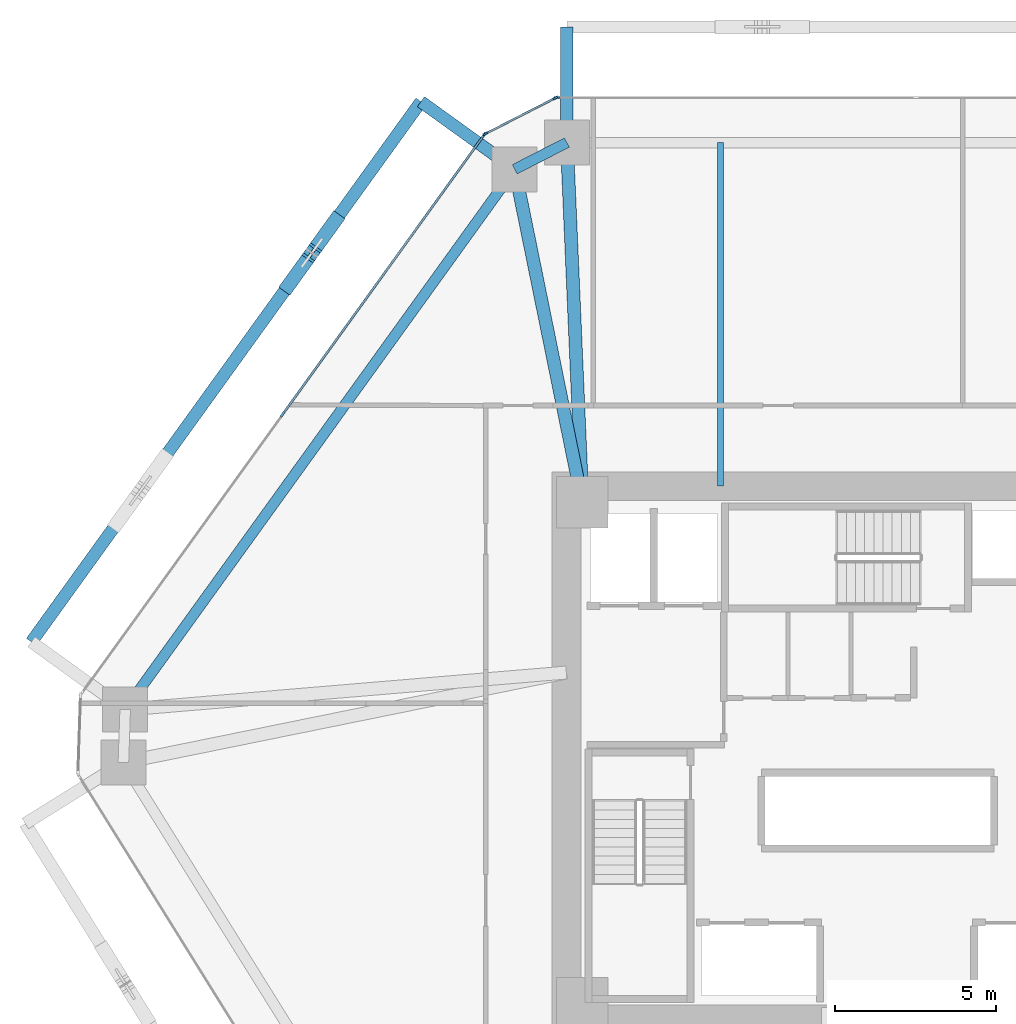
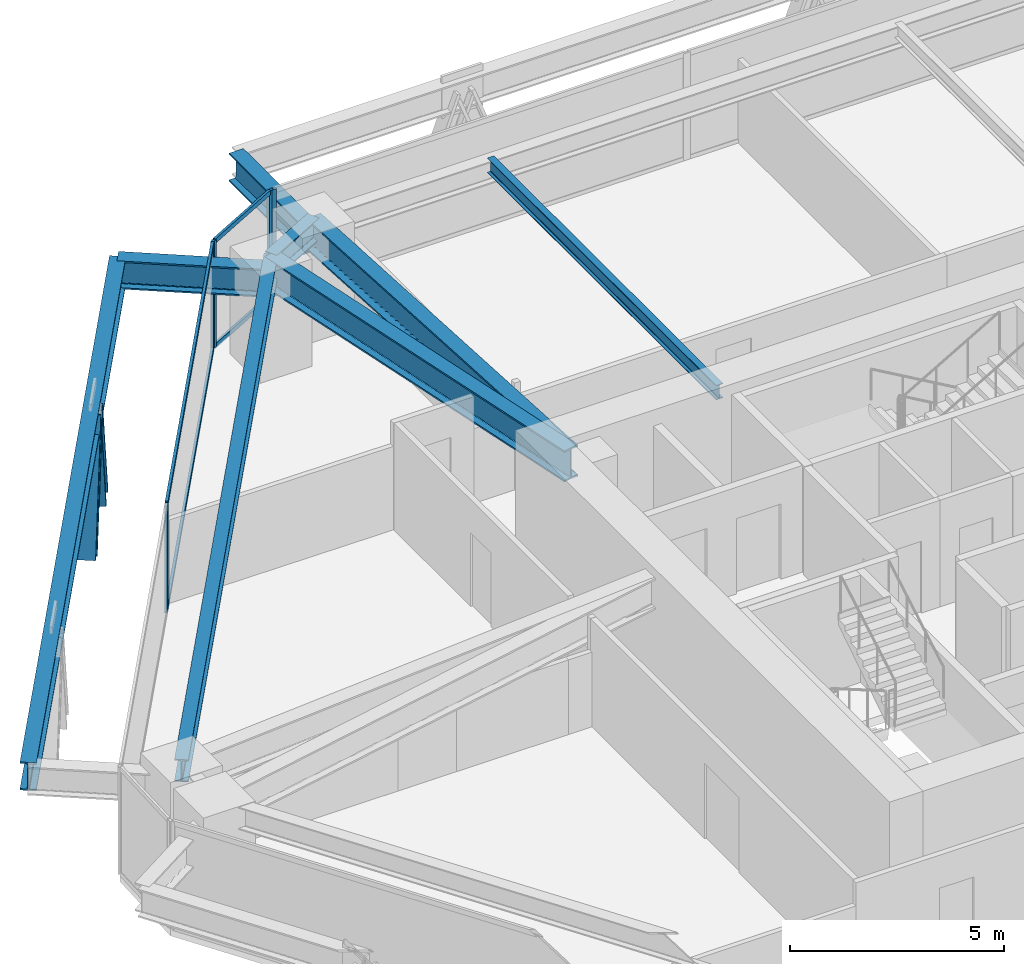
# One storey, part 7 of 17: 11 members, 8 beams, 3 elements without a shape of their own.
"""IFC4 building model written with IfcOpenShell, lengths in metres."""

from ifc_helpers import new_model, si_unit, direction, frame, origin, origin_2d, place, context, subcontext, project, spatial, rectangle, i_section, extrude, source, transform, mapped, material, layer, layer_set, material_profile, profile_set, type_object, type_shapes, element, aggregate, save


model = new_model("IFC4")

# Units and contexts
model_context = context("Model", 3, precision=1e-05, world=origin(), true_north=direction((0.0, 1.0)))
body_context = subcontext(model_context, "Body", "Model", "MODEL_VIEW")
ifc_project = project(units=[si_unit("LENGTHUNIT", "METRE"), si_unit("AREAUNIT", "SQUARE_METRE"), si_unit("VOLUMEUNIT", "CUBIC_METRE"), si_unit("PLANEANGLEUNIT", "RADIAN"), si_unit("MASSUNIT", "GRAM", prefix="KILO")], contexts=[model_context])

# Site, building, storey
site_placement = place(None, origin())
site = spatial("IfcSite", under=ifc_project, at=site_placement, CompositionType="ELEMENT")
building_placement = place(site_placement, origin())
building = spatial("IfcBuilding", under=site, at=building_placement, Name="Durnholm Broadcast Tower", CompositionType="ELEMENT")
storey_placement = place(building_placement, frame((0.0, 0.0, 52.199951171875)))
storey = spatial("IfcBuildingStorey", under=building, at=storey_placement, Name="L12", CompositionType="ELEMENT", Elevation=52.199951171875)

# Beams
ifc_material_1 = material(Name="Steel ASTM A992 Grade 50", Category="steel")
ifc_material_profile_1 = material_profile(ifc_material_1, i_section(OverallWidth=0.3291015625, OverallDepth=0.635009765625, WebThickness=0.017822265625, FlangeThickness=0.031005859375, FilletRadius=0.02783203125, at=origin_2d()), Name="W24X162")
ifc_profile_set_1 = profile_set([ifc_material_profile_1], Name="Steel ASTM A992 Grade 50")
beam_type_1 = type_object("IfcBeamType", Name="STL-SP-W24X162", PredefinedType="SPANDREL", material=ifc_profile_set_1)
shared_shape_1 = source(origin(), body_context, "Body", "SweptSolid", [
    extrude(i_section(OverallWidth=0.3291015625, OverallDepth=0.635009765625, WebThickness=0.017822265625, FlangeThickness=0.031005859375, FilletRadius=0.02783203125, at=origin_2d()), origin(), (0.0, 0.0, 1.0), 20.737060546875),
])
beam_1_placement = place(storey_placement, frame((-24.034912109375, 1.347412109375, 2.7275390625), z_axis=(0.584821933191, 0.811161701795, 0.0), x_axis=(-0.811161701795, 0.584821933191, 0.0)))
element("IfcBeam", 1, at=beam_1_placement, inside=storey, type_object=beam_type_1, Name="L12 perimeter spandrel girder 03", PredefinedType="SPANDREL", context=body_context, shape_type="MappedRepresentation", body=[
    mapped(shared_shape_1, transform((0.0, 0.0, 0.0), x_axis=(1.0, 0.0, 0.0), y_axis=(0.0, 1.0, 0.0), z_axis=(0.0, 0.0, 1.0), scale=1.0)),
])
shared_shape_2 = source(origin(), body_context, "Body", "SweptSolid", [
    extrude(i_section(OverallWidth=0.3291015625, OverallDepth=0.635009765625, WebThickness=0.017822265625, FlangeThickness=0.031005859375, FilletRadius=0.02783203125, at=origin_2d()), origin(), (0.0, 0.0, 1.0), 1.8251953125),
])
type_shapes(beam_type_1, [shared_shape_1, shared_shape_2])
beam_2_placement = place(storey_placement, frame((-11.907470703125, 18.16845703125, 2.7275390625), z_axis=(0.890187609501, 0.455594139438, 0.0), x_axis=(-0.455594139438, 0.890187609501, 0.0)))
element("IfcBeam", 2, at=beam_2_placement, inside=storey, type_object=beam_type_1, Name="L12 perimeter spandrel girder 04", PredefinedType="SPANDREL", context=body_context, shape_type="MappedRepresentation", body=[
    mapped(shared_shape_2, transform((0.0, 0.0, 0.0), x_axis=(1.0, 0.0, 0.0), y_axis=(0.0, 1.0, 0.0), z_axis=(0.0, 0.0, 1.0), scale=1.0)),
])
ifc_material_profile_2 = material_profile(ifc_material_1, i_section(OverallWidth=0.404052734375, OverallDepth=0.885009765625, WebThickness=0.0244140625, FlangeThickness=0.0439453125, FilletRadius=0.03564453125, at=origin_2d()), Name="W33X291")
ifc_profile_set_2 = profile_set([ifc_material_profile_2], Name="Steel ASTM A992 Grade 50")
beam_type_2 = type_object("IfcBeamType", Name="STL-GR-W33X291", PredefinedType="USERDEFINED", material=ifc_profile_set_2)
shared_shape_3 = source(origin(), body_context, "Body", "SweptSolid", [
    extrude(i_section(OverallWidth=0.404052734375, OverallDepth=0.885009765625, WebThickness=0.0244140625, FlangeThickness=0.0439453125, FilletRadius=0.03564453125, at=origin_2d()), origin(), (0.0, 0.0, 1.0), 10.580322265625),
])
beam_3_placement = place(storey_placement, frame((-9.800048828125, 7.800048828125, 2.6025390625), z_axis=(-0.199181458925, 0.979962625012, 0.0), x_axis=(-0.979962625012, -0.199181458925, 0.0)))
element("IfcBeam", 3, at=beam_3_placement, inside=storey, type_object=beam_type_2, Name="L12 radial primary floor girder 04", ObjectType="GIRDER", PredefinedType="USERDEFINED", context=body_context, shape_type="MappedRepresentation", body=[
    mapped(shared_shape_3, transform((0.0, 0.0, 0.0), x_axis=(1.0, 0.0, 0.0), y_axis=(0.0, 1.0, 0.0), z_axis=(0.0, 0.0, 1.0), scale=1.0)),
])
shared_shape_4 = source(origin(), body_context, "Body", "SweptSolid", [
    extrude(i_section(OverallWidth=0.404052734375, OverallDepth=0.885009765625, WebThickness=0.0244140625, FlangeThickness=0.0439453125, FilletRadius=0.03564453125, at=origin_2d()), origin(), (0.0, 0.0, 1.0), 11.21044921875),
])
type_shapes(beam_type_2, [shared_shape_3, shared_shape_4])
beam_4_placement = place(storey_placement, frame((-9.800048828125, 7.800048828125, 2.6025390625), z_axis=(-0.043055404914, 0.999072686098, 0.0), x_axis=(-0.999072686098, -0.043055404914, 0.0)))
element("IfcBeam", 4, at=beam_4_placement, inside=storey, type_object=beam_type_2, Name="L12 radial primary floor girder 05", ObjectType="GIRDER", PredefinedType="USERDEFINED", context=body_context, shape_type="MappedRepresentation", body=[
    mapped(shared_shape_4, transform((0.0, 0.0, 0.0), x_axis=(1.0, 0.0, 0.0), y_axis=(0.0, 1.0, 0.0), z_axis=(0.0, 0.0, 1.0), scale=1.0)),
])
ifc_material_profile_3 = material_profile(ifc_material_1, i_section(OverallWidth=0.180908203125, OverallDepth=0.417236328125, WebThickness=0.010986328125, FlangeThickness=0.018310546875, FilletRadius=0.01904296875, at=origin_2d()), Name="W16X57")
ifc_profile_set_3 = profile_set([ifc_material_profile_3], Name="Steel ASTM A992 Grade 50")
beam_type_3 = type_object("IfcBeamType", Name="STL-BJ-W16X57", PredefinedType="JOIST", material=ifc_profile_set_3)
shared_shape_5 = source(origin(), body_context, "Body", "SweptSolid", [
    extrude(i_section(OverallWidth=0.180908203125, OverallDepth=0.417236328125, WebThickness=0.010986328125, FlangeThickness=0.018310546875, FilletRadius=0.01904296875, at=origin_2d()), origin(), (0.0, 0.0, 1.0), 10.699951171875),
])
type_shapes(beam_type_3, [shared_shape_5])
beam_5_placement = place(storey_placement, frame((-5.5, 8.300048828125, 2.83642578125), z_axis=(0.0, 1.0, 0.0), x_axis=(-1.0, 0.0, 0.0)))
element("IfcBeam", 5, at=beam_5_placement, inside=storey, type_object=beam_type_3, Name="L12 secondary floor joist 3.2", PredefinedType="JOIST", context=body_context, shape_type="MappedRepresentation", body=[
    mapped(shared_shape_5, transform((0.0, 0.0, 0.0), x_axis=(1.0, 0.0, 0.0), y_axis=(0.0, 1.0, 0.0), z_axis=(0.0, 0.0, 1.0), scale=1.0)),
])
ifc_material_profile_4 = material_profile(ifc_material_1, i_section(OverallWidth=0.385009765625, OverallDepth=0.802978515625, WebThickness=0.023681640625, FlangeThickness=0.0419921875, FilletRadius=0.032958984375, at=origin_2d()), Name="W30X261")
ifc_profile_set_4 = profile_set([ifc_material_profile_4], Name="Steel ASTM A992 Grade 50")
beam_type_4 = type_object("IfcBeamType", Name="BM-EXO-TIE", PredefinedType="USERDEFINED", material=ifc_profile_set_4)
shared_shape_6 = source(origin(), body_context, "Body", "SweptSolid", [
    extrude(i_section(OverallWidth=0.385009765625, OverallDepth=0.802978515625, WebThickness=0.023681640625, FlangeThickness=0.0419921875, FilletRadius=0.032958984375, at=origin_2d()), origin(), (0.0, 0.0, 1.0), 3.4560546875),
])
for number, where, z_axis, x_axis, name in (
    (6, (-10.28271484375, 19.14404296875, 2.30859375), (0.0, 1.0, 0.0), (-1.0, 0.0, 0.0), "L12 exoskeleton stand-off tie bracket F4.2"),
    (7, (-12.024169921875, 18.252685546875, 2.30859375), (-0.811157675106, 0.584827518262, 0.0), (-0.584827518262, -0.811157675106, 0.0), "L12 exoskeleton stand-off tie bracket F5.1"),
):
    element("IfcBeam", number, at=place(storey_placement, frame(where, z_axis=z_axis, x_axis=x_axis)), inside=storey, type_object=beam_type_4, Name=name, ObjectType="GIRDER", PredefinedType="USERDEFINED", context=body_context, shape_type="MappedRepresentation", body=[
        mapped(shared_shape_6, transform((0.0, 0.0, 0.0), x_axis=(1.0, 0.0, 0.0), y_axis=(0.0, 1.0, 0.0), z_axis=(0.0, 0.0, 1.0), scale=1.0)),
    ])
shared_shape_7 = source(origin(), body_context, "Body", "SweptSolid", [
    extrude(i_section(OverallWidth=0.385009765625, OverallDepth=0.802978515625, WebThickness=0.023681640625, FlangeThickness=0.0419921875, FilletRadius=0.032958984375, at=origin_2d()), origin(), (0.0, 0.0, 1.0), 20.737060546875),
])
type_shapes(beam_type_4, [shared_shape_6, shared_shape_7])
beam_6_placement = place(storey_placement, frame((-14.82763671875, 20.27392578125, 2.30859375), z_axis=(-0.5848163482, -0.811165728368, 0.0), x_axis=(0.811165728368, -0.5848163482, 0.0)))
element("IfcBeam", 8, at=beam_6_placement, inside=storey, type_object=beam_type_4, Name="L12 exoskeleton collector spandrel F5", PredefinedType="SPANDREL", context=body_context, shape_type="MappedRepresentation", body=[
    mapped(shared_shape_7, transform((0.0, 0.0, 0.0), x_axis=(1.0, 0.0, 0.0), y_axis=(0.0, 1.0, 0.0), z_axis=(0.0, 0.0, 1.0), scale=1.0)),
])

# Members
ifc_material_2 = material(Name="Steel ASTM A913 Grade 65", Category="steel")
ifc_material_profile_5 = material_profile(ifc_material_2, i_section(OverallWidth=0.43212890625, OverallDepth=0.497802734375, WebThickness=0.0556640625, FlangeThickness=0.0888671875, FilletRadius=0.030517578125, at=origin_2d()), Name="W14X500")
ifc_profile_set_5 = profile_set([ifc_material_profile_5], Name="Steel ASTM A913 Grade 65")
member_type_1 = type_object("IfcMemberType", Name="STL-DG-W14X500", PredefinedType="BRACE", material=ifc_profile_set_5)
shared_shape_8 = source(origin(), body_context, "Body", "SweptSolid", [
    extrude(i_section(OverallWidth=0.43212890625, OverallDepth=0.497802734375, WebThickness=0.0556640625, FlangeThickness=0.0888671875, FilletRadius=0.030517578125, at=origin_2d()), origin(), (0.0, 0.0, 1.0), 3.523193359375),
])
type_shapes(member_type_1, [shared_shape_8])
for number, where, z_axis, x_axis, name in (
    (9, (-17.501708984375, 16.564697265625, -0.991455078125), (-0.204839138341, -0.284044529113, 0.93667477434), (0.81109123444, -0.58491966065, 0.0), "L12 stand-off diagrid brace F5.D1.1"),
    (10, (-18.94482421875, 14.563232421875, -0.991455078125), (0.20477274847, 0.284048560399, 0.936688068046), (-0.811185111535, 0.584789461963, 0.0), "L12 stand-off diagrid brace F5.D1.2"),
):
    element("IfcMember", number, at=place(storey_placement, frame(where, z_axis=z_axis, x_axis=x_axis)), inside=storey, type_object=member_type_1, Name=name, PredefinedType="BRACE", context=body_context, shape_type="MappedRepresentation", body=[
        mapped(shared_shape_8, transform((0.0, 0.0, 0.0), x_axis=(1.0, 0.0, 0.0), y_axis=(0.0, 1.0, 0.0), z_axis=(0.0, 0.0, 1.0), scale=1.0)),
    ])

# Curtain wall, members
ifc_material_3 = material(Name="Aluminium and Solar Control IGU", Category="aluminium")
ifc_layer_1 = layer(ifc_material_3, 0.1650390625)
ifc_layer_set_1 = layer_set([ifc_layer_1], Name="Aluminium and Solar Control IGU")
curtain_wall_type_1 = type_object("IfcCurtainWallType", Name="CW-SYS-5", PredefinedType="NOTDEFINED", material=ifc_layer_set_1)
curtain_wall_1_placement = place(storey_placement, origin())
curtain_wall_1 = element("IfcCurtainWall", 11, at=curtain_wall_1_placement, inside=storey, type_object=curtain_wall_type_1, Name="L12 curtain wall CW-CORNER CW-L12-CRN-03", PredefinedType="NOTDEFINED")
ifc_material_4 = material(Name="Aluminium 6063-T6", Category="aluminium")
ifc_material_profile_6 = material_profile(ifc_material_4, rectangle(XDim=0.06494140625, YDim=0.1650390625, at=origin_2d()), Name="CWM65X165")
ifc_profile_set_6 = profile_set([ifc_material_profile_6], Name="Aluminium 6063-T6")
member_type_2 = type_object("IfcMemberType", Name="CW-SYS-5-MUL", PredefinedType="MULLION", material=ifc_profile_set_6)
shared_shape_9 = source(origin(), body_context, "Body", "SweptSolid", [
    extrude(rectangle(XDim=0.06494140625, YDim=0.1650390625, at=origin_2d()), origin(), (0.0, 0.0, 1.0), 3.06005859375),
])
type_shapes(member_type_2, [shared_shape_9])
member_1_placement = place(storey_placement, frame((-12.816650390625, 19.27587890625, 0.0), z_axis=(0.0, 0.0, 1.0), x_axis=(-0.455593758406, 0.890187804512, 0.0)))
member_1 = element("IfcMember", 12, at=member_1_placement, type_object=member_type_2, Name="CW-CORNER mullion 1", PredefinedType="MULLION", context=body_context, shape_type="MappedRepresentation", body=[
    mapped(shared_shape_9, transform((0.0, 0.0, 0.0), x_axis=(1.0, 0.0, 0.0), y_axis=(0.0, 1.0, 0.0), z_axis=(0.0, 0.0, 1.0), scale=1.0)),
])
member_2_placement = place(storey_placement, frame((-10.649169921875, 20.38525390625, 0.0), z_axis=(0.0, 0.0, 1.0), x_axis=(-0.455593758406, 0.890187804512, 0.0)))
member_2 = element("IfcMember", 13, at=member_2_placement, type_object=member_type_2, Name="CW-CORNER mullion 2", PredefinedType="MULLION", context=body_context, shape_type="MappedRepresentation", body=[
    mapped(shared_shape_9, transform((0.0, 0.0, 0.0), x_axis=(1.0, 0.0, 0.0), y_axis=(0.0, 1.0, 0.0), z_axis=(0.0, 0.0, 1.0), scale=1.0)),
])
ifc_material_profile_7 = material_profile(ifc_material_4, rectangle(XDim=0.06494140625, YDim=0.1298828125, at=origin_2d()), Name="CWT65X130")
ifc_profile_set_7 = profile_set([ifc_material_profile_7], Name="Aluminium 6063-T6")
member_type_3 = type_object("IfcMemberType", Name="CW-SYS-5-TRN", PredefinedType="USERDEFINED", material=ifc_profile_set_7)
shared_shape_10 = source(origin(), body_context, "Body", "SweptSolid", [
    extrude(rectangle(XDim=0.06494140625, YDim=0.1298828125, at=origin_2d()), origin(), (0.0, 0.0, 1.0), 2.3701171875),
])
type_shapes(member_type_3, [shared_shape_10])
member_3_placement = place(storey_placement, frame((-12.787841796875, 19.29052734375, 0.032470703125), z_axis=(0.890185016934, 0.455599205033, 0.0), x_axis=(-0.455599205033, 0.890185016934, 0.0)))
member_3 = element("IfcMember", 14, at=member_3_placement, type_object=member_type_3, Name="CW-CORNER transom 1.1", ObjectType="TRANSOM", PredefinedType="USERDEFINED", context=body_context, shape_type="MappedRepresentation", body=[
    mapped(shared_shape_10, transform((0.0, 0.0, 0.0), x_axis=(1.0, 0.0, 0.0), y_axis=(0.0, 1.0, 0.0), z_axis=(0.0, 0.0, 1.0), scale=1.0)),
])
member_4_placement = place(storey_placement, frame((-12.787841796875, 19.29052734375, 3.027587890625), z_axis=(0.890185016934, 0.455599205033, 0.0), x_axis=(-0.455599205033, 0.890185016934, 0.0)))
member_4 = element("IfcMember", 15, at=member_4_placement, type_object=member_type_3, Name="CW-CORNER transom 1.2", ObjectType="TRANSOM", PredefinedType="USERDEFINED", context=body_context, shape_type="MappedRepresentation", body=[
    mapped(shared_shape_10, transform((0.0, 0.0, 0.0), x_axis=(1.0, 0.0, 0.0), y_axis=(0.0, 1.0, 0.0), z_axis=(0.0, 0.0, 1.0), scale=1.0)),
])
aggregate(curtain_wall_1, [member_1, member_2, member_3, member_4])

ifc_layer_2 = layer(ifc_material_3, 0.18994140625)
ifc_layer_set_2 = layer_set([ifc_layer_2], Name="Aluminium and Solar Control IGU")
curtain_wall_type_2 = type_object("IfcCurtainWallType", Name="CW-SYS-3", PredefinedType="NOTDEFINED", material=ifc_layer_set_2)
curtain_wall_2_placement = place(storey_placement, origin())
curtain_wall_2 = element("IfcCurtainWall", 16, at=curtain_wall_2_placement, inside=storey, type_object=curtain_wall_type_2, Name="L12 curtain wall CW-Z12-VIS CW-L12-F02", PredefinedType="NOTDEFINED")
ifc_material_profile_8 = material_profile(ifc_material_4, rectangle(XDim=0.070068359375, YDim=0.18994140625, at=origin_2d()), Name="CWM70X190")
ifc_profile_set_8 = profile_set([ifc_material_profile_8], Name="Aluminium 6063-T6")
member_type_4 = type_object("IfcMemberType", Name="CW-SYS-3-MUL", PredefinedType="MULLION", material=ifc_profile_set_8)
shared_shape_11 = source(origin(), body_context, "Body", "SweptSolid", [
    extrude(rectangle(XDim=0.070068359375, YDim=0.18994140625, at=origin_2d()), origin(), (0.0, 0.0, 1.0), 3.06005859375),
])
type_shapes(member_type_4, [shared_shape_11])
member_5_placement = place(storey_placement, frame((-19.1328125, 10.540771484375, 0.0), z_axis=(0.0, 0.0, 1.0), x_axis=(-0.81116057493, 0.584823496176, 0.0)))
member_5 = element("IfcMember", 17, at=member_5_placement, type_object=member_type_4, Name="CW-Z12-VIS mullion 2", PredefinedType="MULLION", context=body_context, shape_type="MappedRepresentation", body=[
    mapped(shared_shape_11, transform((0.0, 0.0, 0.0), x_axis=(1.0, 0.0, 0.0), y_axis=(0.0, 1.0, 0.0), z_axis=(0.0, 0.0, 1.0), scale=1.0)),
])
member_6_placement = place(storey_placement, frame((-12.8662109375, 19.232666015625, 0.0), z_axis=(0.0, 0.0, 1.0), x_axis=(-0.81116057493, 0.584823496176, 0.0)))
member_6 = element("IfcMember", 18, at=member_6_placement, type_object=member_type_4, Name="CW-Z12-VIS mullion 3", PredefinedType="MULLION", context=body_context, shape_type="MappedRepresentation", body=[
    mapped(shared_shape_11, transform((0.0, 0.0, 0.0), x_axis=(1.0, 0.0, 0.0), y_axis=(0.0, 1.0, 0.0), z_axis=(0.0, 0.0, 1.0), scale=1.0)),
])

# Curtain wall, member
curtain_wall_3_placement = place(storey_placement, origin())
curtain_wall_3 = element("IfcCurtainWall", 19, at=curtain_wall_3_placement, inside=storey, type_object=curtain_wall_type_2, Name="L12 curtain wall CW-Z12-VIS CW-L12-F04", PredefinedType="NOTDEFINED")
member_7_placement = place(storey_placement, frame((-10.585205078125, 20.39990234375, 0.0), z_axis=(0.0, 0.0, 1.0), x_axis=(0.0, 1.0, 0.0)))
member_7 = element("IfcMember", 20, at=member_7_placement, type_object=member_type_4, Name="CW-Z12-VIS mullion 1", PredefinedType="MULLION", context=body_context, shape_type="MappedRepresentation", body=[
    mapped(shared_shape_11, transform((0.0, 0.0, 0.0), x_axis=(1.0, 0.0, 0.0), y_axis=(0.0, 1.0, 0.0), z_axis=(0.0, 0.0, 1.0), scale=1.0)),
])
aggregate(curtain_wall_3, [member_7])

# Member
ifc_material_profile_9 = material_profile(ifc_material_4, rectangle(XDim=0.070068359375, YDim=0.14990234375, at=origin_2d()), Name="CWT70X150")
ifc_profile_set_9 = profile_set([ifc_material_profile_9], Name="Aluminium 6063-T6")
member_type_5 = type_object("IfcMemberType", Name="CW-SYS-3-TRN", PredefinedType="USERDEFINED", material=ifc_profile_set_9)
shared_shape_12 = source(origin(), body_context, "Body", "SweptSolid", [
    extrude(rectangle(XDim=0.070068359375, YDim=0.14990234375, at=origin_2d()), origin(), (0.0, 0.0, 1.0), 10.645263671875),
])
type_shapes(member_type_5, [shared_shape_12])
member_8_placement = place(storey_placement, frame((-19.1123046875, 10.569091796875, 0.03515625), z_axis=(0.584822983179, 0.811160944786, 0.0), x_axis=(-0.811160944786, 0.584822983179, 0.0)))
member_8 = element("IfcMember", 21, at=member_8_placement, type_object=member_type_5, Name="CW-Z12-VIS transom 2.1", ObjectType="TRANSOM", PredefinedType="USERDEFINED", context=body_context, shape_type="MappedRepresentation", body=[
    mapped(shared_shape_12, transform((0.0, 0.0, 0.0), x_axis=(1.0, 0.0, 0.0), y_axis=(0.0, 1.0, 0.0), z_axis=(0.0, 0.0, 1.0), scale=1.0)),
])

member_9_placement = place(storey_placement, frame((-19.1123046875, 10.569091796875, 3.025146484375), z_axis=(0.584822983179, 0.811160944786, 0.0), x_axis=(-0.811160944786, 0.584822983179, 0.0)))
member_9 = element("IfcMember", 22, at=member_9_placement, type_object=member_type_5, Name="CW-Z12-VIS transom 2.2", ObjectType="TRANSOM", PredefinedType="USERDEFINED", context=body_context, shape_type="MappedRepresentation", body=[
    mapped(shared_shape_12, transform((0.0, 0.0, 0.0), x_axis=(1.0, 0.0, 0.0), y_axis=(0.0, 1.0, 0.0), z_axis=(0.0, 0.0, 1.0), scale=1.0)),
])

aggregate(curtain_wall_2, [member_5, member_6, member_8, member_9])

save(model, "model.ifc")
